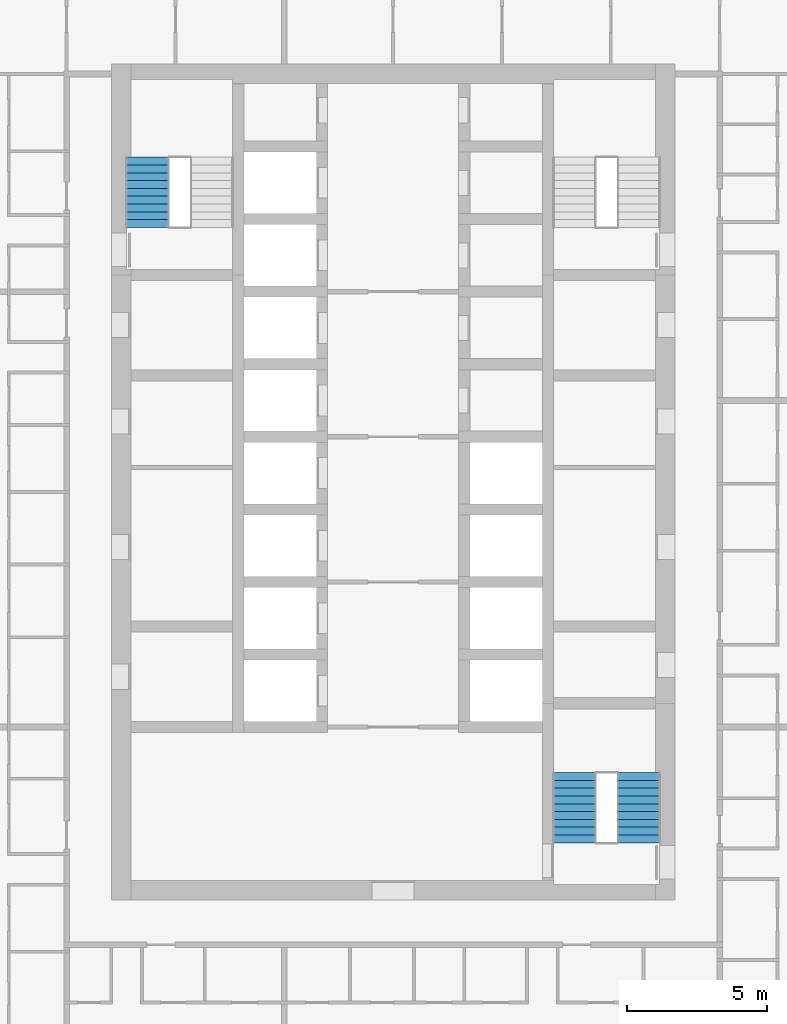
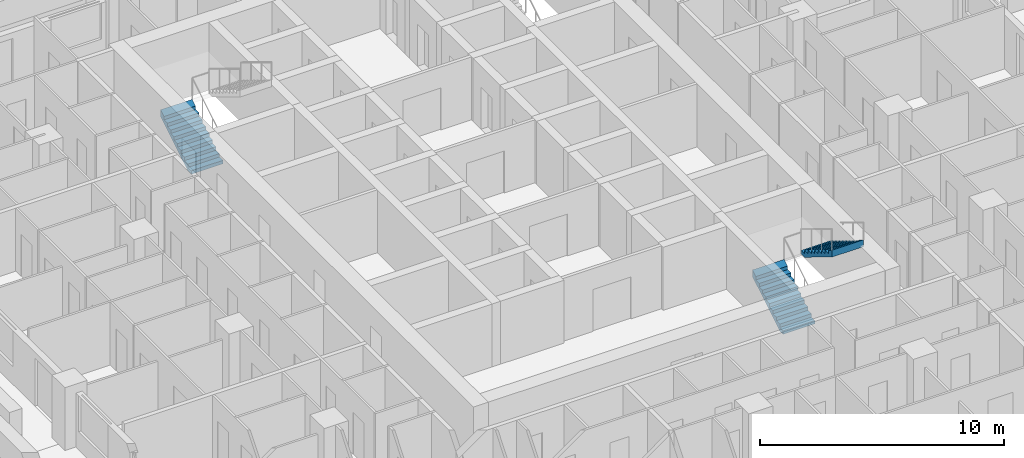
# One storey, part 14 of 17: 3 stair flights, 2 elements without a shape of their own.
"""IFC4 building model written with IfcOpenShell, lengths in metres."""

from ifc_helpers import new_model, si_unit, direction, frame, origin, place, context, subcontext, project, spatial, triangles, material, type_object, element, aggregate, save


model = new_model("IFC4")

# Units and contexts
model_context = context("Model", 3, precision=1e-05, world=origin(), true_north=direction((0.0, 1.0)))
body_context = subcontext(model_context, "Body", "Model", "MODEL_VIEW")
ifc_project = project(units=[si_unit("LENGTHUNIT", "METRE"), si_unit("AREAUNIT", "SQUARE_METRE"), si_unit("VOLUMEUNIT", "CUBIC_METRE"), si_unit("PLANEANGLEUNIT", "RADIAN"), si_unit("MASSUNIT", "GRAM", prefix="KILO")], contexts=[model_context])

# Site, building, storey
site_placement = place(None, origin())
site = spatial("IfcSite", under=ifc_project, at=site_placement, CompositionType="ELEMENT")
building_placement = place(site_placement, origin())
building = spatial("IfcBuilding", under=site, at=building_placement, Name="Ludao Terraces", CompositionType="ELEMENT")
storey_placement = place(building_placement, frame((0.0, 0.0, 54.60009765625)))
storey = spatial("IfcBuildingStorey", under=building, at=storey_placement, Name="L14", CompositionType="ELEMENT", Elevation=54.60009765625)

# Stair, stair flight
ifc_material = material(Name="Concrete C40", Category="concrete")
stair_type = type_object("IfcStairType", Name="INT Stair", PredefinedType="HALF_TURN_STAIR", material=ifc_material)
stair_1_placement = place(storey_placement, origin())
stair_1 = element("IfcStair", 1, at=stair_1_placement, inside=storey, type_object=stair_type, Name="EXIT STAIR 1", PredefinedType="HALF_TURN_STAIR")
stair_flight_type = type_object("IfcStairFlightType", Name="INT Stair flight", PredefinedType="STRAIGHT", material=ifc_material)
stair_flight_1_placement = place(storey_placement, frame((76.199951171875, 79.0, 0.0), z_axis=(0.0, 0.0, 1.0), x_axis=(0.0, 1.0, 0.0)))
stair_flight_1 = element("IfcStairFlight", 2, at=stair_flight_1_placement, type_object=stair_flight_type, Name="ST1 flight 1", NumberOfRisers=10, NumberOfTreads=9, PredefinedType="STRAIGHT", RiserHeight=0.17, TreadLength=0.28, context=body_context, shape_type="Tessellation", body=[
    triangles([(0.0, -0.75, 0.0), (0.0, -0.5, 0.0), (0.0, -0.25, 0.0), (0.0, 0.0, 0.0), (0.0, 0.25, 0.0), (0.0, 0.5, 0.0), (0.0, 0.75, 0.0), (0.0, -0.75, 0.169921875), (0.0, -0.5, 0.169921875), (0.0, -0.25, 0.169921875), (0.0, 0.0, 0.169921875), (0.0, 0.25, 0.169921875), (0.0, 0.5, 0.169921875), (0.0, 0.75, 0.169921875), (0.280029296875, -0.75, 0.169921875), (0.280029296875, -0.5, 0.169921875), (0.280029296875, -0.25, 0.169921875), (0.280029296875, 0.0, 0.169921875), (0.280029296875, 0.25, 0.169921875), (0.280029296875, 0.5, 0.169921875), (0.280029296875, 0.75, 0.169921875), (0.280029296875, -0.75, 0.340087890625), (0.280029296875, -0.5, 0.340087890625), (0.280029296875, -0.25, 0.340087890625), (0.280029296875, 0.0, 0.340087890625), (0.280029296875, 0.25, 0.340087890625), (0.280029296875, 0.5, 0.340087890625), (0.280029296875, 0.75, 0.340087890625), (0.56005859375, -0.75, 0.340087890625), (0.56005859375, -0.5, 0.340087890625), (0.56005859375, -0.25, 0.340087890625), (0.56005859375, 0.0, 0.340087890625), (0.56005859375, 0.25, 0.340087890625), (0.56005859375, 0.5, 0.340087890625), (0.56005859375, 0.75, 0.340087890625), (0.56005859375, -0.75, 0.510009765625), (0.56005859375, -0.5, 0.510009765625), (0.56005859375, -0.25, 0.510009765625), (0.56005859375, 0.0, 0.510009765625), (0.56005859375, 0.25, 0.510009765625), (0.56005859375, 0.5, 0.510009765625), (0.56005859375, 0.75, 0.510009765625), (0.840087890625, -0.75, 0.510009765625), (0.840087890625, -0.5, 0.510009765625), (0.840087890625, -0.25, 0.510009765625), (0.840087890625, 0.0, 0.510009765625), (0.840087890625, 0.25, 0.510009765625), (0.840087890625, 0.5, 0.510009765625), (0.840087890625, 0.75, 0.510009765625), (0.840087890625, -0.75, 0.679931640625), (0.840087890625, -0.5, 0.679931640625), (0.840087890625, -0.25, 0.679931640625), (0.840087890625, 0.0, 0.679931640625), (0.840087890625, 0.25, 0.679931640625), (0.840087890625, 0.5, 0.679931640625), (0.840087890625, 0.75, 0.679931640625), (1.1201171875, -0.75, 0.679931640625), (1.1201171875, -0.5, 0.679931640625), (1.1201171875, -0.25, 0.679931640625), (1.1201171875, 0.0, 0.679931640625), (1.1201171875, 0.25, 0.679931640625), (1.1201171875, 0.5, 0.679931640625), (1.1201171875, 0.75, 0.679931640625), (1.1201171875, -0.75, 0.85009765625), (1.1201171875, -0.5, 0.85009765625), (1.1201171875, -0.25, 0.85009765625), (1.1201171875, 0.0, 0.85009765625), (1.1201171875, 0.25, 0.85009765625), (1.1201171875, 0.5, 0.85009765625), (1.1201171875, 0.75, 0.85009765625), (1.39990234375, -0.75, 0.85009765625), (1.39990234375, -0.5, 0.85009765625), (1.39990234375, -0.25, 0.85009765625), (1.39990234375, 0.0, 0.85009765625), (1.39990234375, 0.25, 0.85009765625), (1.39990234375, 0.5, 0.85009765625), (1.39990234375, 0.75, 0.85009765625), (1.39990234375, -0.75, 1.02001953125), (1.39990234375, -0.5, 1.02001953125), (1.39990234375, -0.25, 1.02001953125), (1.39990234375, 0.0, 1.02001953125), (1.39990234375, 0.25, 1.02001953125), (1.39990234375, 0.5, 1.02001953125), (1.39990234375, 0.75, 1.02001953125), (1.679931640625, -0.75, 1.02001953125), (1.679931640625, -0.5, 1.02001953125), (1.679931640625, -0.25, 1.02001953125), (1.679931640625, 0.0, 1.02001953125), (1.679931640625, 0.25, 1.02001953125), (1.679931640625, 0.5, 1.02001953125), (1.679931640625, 0.75, 1.02001953125), (1.679931640625, -0.75, 1.18994140625), (1.679931640625, -0.5, 1.18994140625), (1.679931640625, -0.25, 1.18994140625), (1.679931640625, 0.0, 1.18994140625), (1.679931640625, 0.25, 1.18994140625), (1.679931640625, 0.5, 1.18994140625), (1.679931640625, 0.75, 1.18994140625), (1.9599609375, -0.75, 1.18994140625), (1.9599609375, -0.5, 1.18994140625), (1.9599609375, -0.25, 1.18994140625), (1.9599609375, 0.0, 1.18994140625), (1.9599609375, 0.25, 1.18994140625), (1.9599609375, 0.5, 1.18994140625), (1.9599609375, 0.75, 1.18994140625), (1.9599609375, -0.75, 1.360107421875), (1.9599609375, -0.5, 1.360107421875), (1.9599609375, -0.25, 1.360107421875), (1.9599609375, 0.0, 1.360107421875), (1.9599609375, 0.25, 1.360107421875), (1.9599609375, 0.5, 1.360107421875), (1.9599609375, 0.75, 1.360107421875), (2.239990234375, -0.75, 1.360107421875), (2.239990234375, -0.5, 1.360107421875), (2.239990234375, -0.25, 1.360107421875), (2.239990234375, 0.0, 1.360107421875), (2.239990234375, 0.25, 1.360107421875), (2.239990234375, 0.5, 1.360107421875), (2.239990234375, 0.75, 1.360107421875), (2.239990234375, -0.75, 1.530029296875), (2.239990234375, -0.5, 1.530029296875), (2.239990234375, -0.25, 1.530029296875), (2.239990234375, 0.0, 1.530029296875), (2.239990234375, 0.25, 1.530029296875), (2.239990234375, 0.5, 1.530029296875), (2.239990234375, 0.75, 1.530029296875), (2.52001953125, -0.75, 1.699951171875), (2.52001953125, -0.5, 1.699951171875), (2.52001953125, -0.25, 1.699951171875), (2.52001953125, 0.0, 1.699951171875), (2.52001953125, 0.25, 1.699951171875), (2.52001953125, 0.5, 1.699951171875), (2.52001953125, 0.75, 1.699951171875), (2.52001953125, -0.75, 1.354736328125), (2.52001953125, -0.5, 1.354736328125), (2.52001953125, -0.25, 1.354736328125), (2.52001953125, 0.0, 1.354736328125), (2.52001953125, 0.25, 1.354736328125), (2.52001953125, 0.5, 1.354736328125), (2.52001953125, 0.75, 1.354736328125), (0.288818359375, -0.75, 0.0), (0.288818359375, -0.5, 0.0), (0.288818359375, -0.25, 0.0), (0.288818359375, 0.0, 0.0), (0.288818359375, 0.25, 0.0), (0.288818359375, 0.5, 0.0), (0.288818359375, 0.75, 0.0)], [[1, 141, 134], [7, 140, 147], [134, 127, 120], [140, 126, 133], [134, 120, 113], [140, 119, 126], [134, 113, 106], [140, 112, 119], [134, 106, 99], [140, 105, 112], [99, 92, 85], [105, 91, 98], [134, 99, 85], [140, 91, 105], [85, 78, 71], [91, 77, 84], [134, 85, 71], [140, 77, 91], [71, 64, 57], [77, 63, 70], [134, 71, 57], [140, 63, 77], [57, 50, 43], [63, 49, 56], [134, 57, 43], [140, 49, 63], [43, 36, 29], [49, 35, 42], [134, 43, 29], [140, 35, 49], [29, 22, 15], [35, 21, 28], [134, 29, 15], [140, 21, 35], [1, 134, 15], [7, 21, 140], [15, 8, 1], [21, 7, 14], [1, 9, 2], [1, 8, 9], [2, 10, 3], [2, 9, 10], [3, 11, 4], [3, 10, 11], [4, 12, 5], [4, 11, 12], [5, 13, 6], [5, 12, 13], [6, 14, 7], [6, 13, 14], [8, 16, 9], [8, 15, 16], [9, 17, 10], [9, 16, 17], [10, 18, 11], [10, 17, 18], [11, 19, 12], [11, 18, 19], [12, 20, 13], [12, 19, 20], [13, 21, 14], [13, 20, 21], [15, 23, 16], [15, 22, 23], [16, 24, 17], [16, 23, 24], [17, 25, 18], [17, 24, 25], [18, 26, 19], [18, 25, 26], [19, 27, 20], [19, 26, 27], [20, 28, 21], [20, 27, 28], [22, 30, 23], [22, 29, 30], [23, 31, 24], [23, 30, 31], [24, 32, 25], [24, 31, 32], [25, 33, 26], [25, 32, 33], [26, 34, 27], [26, 33, 34], [27, 35, 28], [27, 34, 35], [29, 37, 30], [29, 36, 37], [30, 38, 31], [30, 37, 38], [31, 39, 32], [31, 38, 39], [32, 40, 33], [32, 39, 40], [33, 41, 34], [33, 40, 41], [34, 42, 35], [34, 41, 42], [36, 44, 37], [36, 43, 44], [37, 45, 38], [37, 44, 45], [38, 46, 39], [38, 45, 46], [39, 47, 40], [39, 46, 47], [40, 48, 41], [40, 47, 48], [41, 49, 42], [41, 48, 49], [43, 51, 44], [43, 50, 51], [44, 52, 45], [44, 51, 52], [45, 53, 46], [45, 52, 53], [46, 54, 47], [46, 53, 54], [47, 55, 48], [47, 54, 55], [48, 56, 49], [48, 55, 56], [50, 58, 51], [50, 57, 58], [51, 59, 52], [51, 58, 59], [52, 60, 53], [52, 59, 60], [53, 61, 54], [53, 60, 61], [54, 62, 55], [54, 61, 62], [55, 63, 56], [55, 62, 63], [57, 65, 58], [57, 64, 65], [58, 66, 59], [58, 65, 66], [59, 67, 60], [59, 66, 67], [60, 68, 61], [60, 67, 68], [61, 69, 62], [61, 68, 69], [62, 70, 63], [62, 69, 70], [64, 72, 65], [64, 71, 72], [65, 73, 66], [65, 72, 73], [66, 74, 67], [66, 73, 74], [67, 75, 68], [67, 74, 75], [68, 76, 69], [68, 75, 76], [69, 77, 70], [69, 76, 77], [71, 79, 72], [71, 78, 79], [72, 80, 73], [72, 79, 80], [73, 81, 74], [73, 80, 81], [74, 82, 75], [74, 81, 82], [75, 83, 76], [75, 82, 83], [76, 84, 77], [76, 83, 84], [78, 86, 79], [78, 85, 86], [79, 87, 80], [79, 86, 87], [80, 88, 81], [80, 87, 88], [81, 89, 82], [81, 88, 89], [82, 90, 83], [82, 89, 90], [83, 91, 84], [83, 90, 91], [85, 93, 86], [85, 92, 93], [86, 94, 87], [86, 93, 94], [87, 95, 88], [87, 94, 95], [88, 96, 89], [88, 95, 96], [89, 97, 90], [89, 96, 97], [90, 98, 91], [90, 97, 98], [92, 100, 93], [92, 99, 100], [93, 101, 94], [93, 100, 101], [94, 102, 95], [94, 101, 102], [95, 103, 96], [95, 102, 103], [96, 104, 97], [96, 103, 104], [97, 105, 98], [97, 104, 105], [99, 107, 100], [99, 106, 107], [100, 108, 101], [100, 107, 108], [101, 109, 102], [101, 108, 109], [102, 110, 103], [102, 109, 110], [103, 111, 104], [103, 110, 111], [104, 112, 105], [104, 111, 112], [106, 114, 107], [106, 113, 114], [107, 115, 108], [107, 114, 115], [108, 116, 109], [108, 115, 116], [109, 117, 110], [109, 116, 117], [110, 118, 111], [110, 117, 118], [111, 119, 112], [111, 118, 119], [113, 121, 114], [113, 120, 121], [114, 122, 115], [114, 121, 122], [115, 123, 116], [115, 122, 123], [116, 124, 117], [116, 123, 124], [117, 125, 118], [117, 124, 125], [118, 126, 119], [118, 125, 126], [120, 128, 121], [120, 127, 128], [121, 129, 122], [121, 128, 129], [122, 130, 123], [122, 129, 130], [123, 131, 124], [123, 130, 131], [124, 132, 125], [124, 131, 132], [125, 133, 126], [125, 132, 133], [127, 135, 128], [127, 134, 135], [128, 136, 129], [128, 135, 136], [129, 137, 130], [129, 136, 137], [130, 138, 131], [130, 137, 138], [131, 139, 132], [131, 138, 139], [132, 140, 133], [132, 139, 140], [134, 142, 135], [134, 141, 142], [135, 143, 136], [135, 142, 143], [136, 144, 137], [136, 143, 144], [137, 145, 138], [137, 144, 145], [138, 146, 139], [138, 145, 146], [139, 147, 140], [139, 146, 147], [141, 2, 142], [141, 1, 2], [142, 3, 143], [142, 2, 3], [143, 4, 144], [143, 3, 4], [144, 5, 145], [144, 4, 5], [145, 6, 146], [145, 5, 6], [146, 7, 147], [146, 6, 7]], closed=True),
])
aggregate(stair_1, [stair_flight_1])

# Stair, stair flights
stair_2_placement = place(storey_placement, origin())
stair_2 = element("IfcStair", 3, at=stair_2_placement, inside=storey, type_object=stair_type, Name="EXIT STAIR 3", PredefinedType="HALF_TURN_STAIR")
stair_flight_2_placement = place(storey_placement, frame((91.5, 56.949951171875, 0.0), z_axis=(0.0, 0.0, 1.0), x_axis=(0.0, 1.0, 0.0)))
stair_flight_2 = element("IfcStairFlight", 4, at=stair_flight_2_placement, type_object=stair_flight_type, Name="ST3 flight 1", NumberOfRisers=10, NumberOfTreads=9, PredefinedType="STRAIGHT", RiserHeight=0.17, TreadLength=0.28, context=body_context, shape_type="Tessellation", body=[
    triangles([(0.0, -0.75, 0.0), (0.0, -0.5, 0.0), (0.0, -0.25, 0.0), (0.0, 0.0, 0.0), (0.0, 0.25, 0.0), (0.0, 0.5, 0.0), (0.0, 0.75, 0.0), (0.0, -0.75, 0.169921875), (0.0, -0.5, 0.169921875), (0.0, -0.25, 0.169921875), (0.0, 0.0, 0.169921875), (0.0, 0.25, 0.169921875), (0.0, 0.5, 0.169921875), (0.0, 0.75, 0.169921875), (0.280029296875, -0.75, 0.169921875), (0.280029296875, -0.5, 0.169921875), (0.280029296875, -0.25, 0.169921875), (0.280029296875, 0.0, 0.169921875), (0.280029296875, 0.25, 0.169921875), (0.280029296875, 0.5, 0.169921875), (0.280029296875, 0.75, 0.169921875), (0.280029296875, -0.75, 0.340087890625), (0.280029296875, -0.5, 0.340087890625), (0.280029296875, -0.25, 0.340087890625), (0.280029296875, 0.0, 0.340087890625), (0.280029296875, 0.25, 0.340087890625), (0.280029296875, 0.5, 0.340087890625), (0.280029296875, 0.75, 0.340087890625), (0.56005859375, -0.75, 0.340087890625), (0.56005859375, -0.5, 0.340087890625), (0.56005859375, -0.25, 0.340087890625), (0.56005859375, 0.0, 0.340087890625), (0.56005859375, 0.25, 0.340087890625), (0.56005859375, 0.5, 0.340087890625), (0.56005859375, 0.75, 0.340087890625), (0.56005859375, -0.75, 0.510009765625), (0.56005859375, -0.5, 0.510009765625), (0.56005859375, -0.25, 0.510009765625), (0.56005859375, 0.0, 0.510009765625), (0.56005859375, 0.25, 0.510009765625), (0.56005859375, 0.5, 0.510009765625), (0.56005859375, 0.75, 0.510009765625), (0.840087890625, -0.75, 0.510009765625), (0.840087890625, -0.5, 0.510009765625), (0.840087890625, -0.25, 0.510009765625), (0.840087890625, 0.0, 0.510009765625), (0.840087890625, 0.25, 0.510009765625), (0.840087890625, 0.5, 0.510009765625), (0.840087890625, 0.75, 0.510009765625), (0.840087890625, -0.75, 0.679931640625), (0.840087890625, -0.5, 0.679931640625), (0.840087890625, -0.25, 0.679931640625), (0.840087890625, 0.0, 0.679931640625), (0.840087890625, 0.25, 0.679931640625), (0.840087890625, 0.5, 0.679931640625), (0.840087890625, 0.75, 0.679931640625), (1.1201171875, -0.75, 0.679931640625), (1.1201171875, -0.5, 0.679931640625), (1.1201171875, -0.25, 0.679931640625), (1.1201171875, 0.0, 0.679931640625), (1.1201171875, 0.25, 0.679931640625), (1.1201171875, 0.5, 0.679931640625), (1.1201171875, 0.75, 0.679931640625), (1.1201171875, -0.75, 0.85009765625), (1.1201171875, -0.5, 0.85009765625), (1.1201171875, -0.25, 0.85009765625), (1.1201171875, 0.0, 0.85009765625), (1.1201171875, 0.25, 0.85009765625), (1.1201171875, 0.5, 0.85009765625), (1.1201171875, 0.75, 0.85009765625), (1.39990234375, -0.75, 0.85009765625), (1.39990234375, -0.5, 0.85009765625), (1.39990234375, -0.25, 0.85009765625), (1.39990234375, 0.0, 0.85009765625), (1.39990234375, 0.25, 0.85009765625), (1.39990234375, 0.5, 0.85009765625), (1.39990234375, 0.75, 0.85009765625), (1.39990234375, -0.75, 1.02001953125), (1.39990234375, -0.5, 1.02001953125), (1.39990234375, -0.25, 1.02001953125), (1.39990234375, 0.0, 1.02001953125), (1.39990234375, 0.25, 1.02001953125), (1.39990234375, 0.5, 1.02001953125), (1.39990234375, 0.75, 1.02001953125), (1.679931640625, -0.75, 1.02001953125), (1.679931640625, -0.5, 1.02001953125), (1.679931640625, -0.25, 1.02001953125), (1.679931640625, 0.0, 1.02001953125), (1.679931640625, 0.25, 1.02001953125), (1.679931640625, 0.5, 1.02001953125), (1.679931640625, 0.75, 1.02001953125), (1.679931640625, -0.75, 1.18994140625), (1.679931640625, -0.5, 1.18994140625), (1.679931640625, -0.25, 1.18994140625), (1.679931640625, 0.0, 1.18994140625), (1.679931640625, 0.25, 1.18994140625), (1.679931640625, 0.5, 1.18994140625), (1.679931640625, 0.75, 1.18994140625), (1.9599609375, -0.75, 1.18994140625), (1.9599609375, -0.5, 1.18994140625), (1.9599609375, -0.25, 1.18994140625), (1.9599609375, 0.0, 1.18994140625), (1.9599609375, 0.25, 1.18994140625), (1.9599609375, 0.5, 1.18994140625), (1.9599609375, 0.75, 1.18994140625), (1.9599609375, -0.75, 1.360107421875), (1.9599609375, -0.5, 1.360107421875), (1.9599609375, -0.25, 1.360107421875), (1.9599609375, 0.0, 1.360107421875), (1.9599609375, 0.25, 1.360107421875), (1.9599609375, 0.5, 1.360107421875), (1.9599609375, 0.75, 1.360107421875), (2.239990234375, -0.75, 1.360107421875), (2.239990234375, -0.5, 1.360107421875), (2.239990234375, -0.25, 1.360107421875), (2.239990234375, 0.0, 1.360107421875), (2.239990234375, 0.25, 1.360107421875), (2.239990234375, 0.5, 1.360107421875), (2.239990234375, 0.75, 1.360107421875), (2.239990234375, -0.75, 1.530029296875), (2.239990234375, -0.5, 1.530029296875), (2.239990234375, -0.25, 1.530029296875), (2.239990234375, 0.0, 1.530029296875), (2.239990234375, 0.25, 1.530029296875), (2.239990234375, 0.5, 1.530029296875), (2.239990234375, 0.75, 1.530029296875), (2.52001953125, -0.75, 1.699951171875), (2.52001953125, -0.5, 1.699951171875), (2.52001953125, -0.25, 1.699951171875), (2.52001953125, 0.0, 1.699951171875), (2.52001953125, 0.25, 1.699951171875), (2.52001953125, 0.5, 1.699951171875), (2.52001953125, 0.75, 1.699951171875), (2.52001953125, -0.75, 1.354736328125), (2.52001953125, -0.5, 1.354736328125), (2.52001953125, -0.25, 1.354736328125), (2.52001953125, 0.0, 1.354736328125), (2.52001953125, 0.25, 1.354736328125), (2.52001953125, 0.5, 1.354736328125), (2.52001953125, 0.75, 1.354736328125), (0.288818359375, -0.75, 0.0), (0.288818359375, -0.5, 0.0), (0.288818359375, -0.25, 0.0), (0.288818359375, 0.0, 0.0), (0.288818359375, 0.25, 0.0), (0.288818359375, 0.5, 0.0), (0.288818359375, 0.75, 0.0)], [[1, 141, 134], [7, 140, 147], [134, 127, 120], [140, 126, 133], [134, 120, 113], [140, 119, 126], [134, 113, 106], [140, 112, 119], [134, 106, 99], [140, 105, 112], [99, 92, 85], [105, 91, 98], [134, 99, 85], [140, 91, 105], [85, 78, 71], [91, 77, 84], [134, 85, 71], [140, 77, 91], [71, 64, 57], [77, 63, 70], [134, 71, 57], [140, 63, 77], [57, 50, 43], [63, 49, 56], [134, 57, 43], [140, 49, 63], [43, 36, 29], [49, 35, 42], [134, 43, 29], [140, 35, 49], [29, 22, 15], [35, 21, 28], [134, 29, 15], [140, 21, 35], [1, 134, 15], [7, 21, 140], [15, 8, 1], [21, 7, 14], [1, 9, 2], [1, 8, 9], [2, 10, 3], [2, 9, 10], [3, 11, 4], [3, 10, 11], [4, 12, 5], [4, 11, 12], [5, 13, 6], [5, 12, 13], [6, 14, 7], [6, 13, 14], [8, 16, 9], [8, 15, 16], [9, 17, 10], [9, 16, 17], [10, 18, 11], [10, 17, 18], [11, 19, 12], [11, 18, 19], [12, 20, 13], [12, 19, 20], [13, 21, 14], [13, 20, 21], [15, 23, 16], [15, 22, 23], [16, 24, 17], [16, 23, 24], [17, 25, 18], [17, 24, 25], [18, 26, 19], [18, 25, 26], [19, 27, 20], [19, 26, 27], [20, 28, 21], [20, 27, 28], [22, 30, 23], [22, 29, 30], [23, 31, 24], [23, 30, 31], [24, 32, 25], [24, 31, 32], [25, 33, 26], [25, 32, 33], [26, 34, 27], [26, 33, 34], [27, 35, 28], [27, 34, 35], [29, 37, 30], [29, 36, 37], [30, 38, 31], [30, 37, 38], [31, 39, 32], [31, 38, 39], [32, 40, 33], [32, 39, 40], [33, 41, 34], [33, 40, 41], [34, 42, 35], [34, 41, 42], [36, 44, 37], [36, 43, 44], [37, 45, 38], [37, 44, 45], [38, 46, 39], [38, 45, 46], [39, 47, 40], [39, 46, 47], [40, 48, 41], [40, 47, 48], [41, 49, 42], [41, 48, 49], [43, 51, 44], [43, 50, 51], [44, 52, 45], [44, 51, 52], [45, 53, 46], [45, 52, 53], [46, 54, 47], [46, 53, 54], [47, 55, 48], [47, 54, 55], [48, 56, 49], [48, 55, 56], [50, 58, 51], [50, 57, 58], [51, 59, 52], [51, 58, 59], [52, 60, 53], [52, 59, 60], [53, 61, 54], [53, 60, 61], [54, 62, 55], [54, 61, 62], [55, 63, 56], [55, 62, 63], [57, 65, 58], [57, 64, 65], [58, 66, 59], [58, 65, 66], [59, 67, 60], [59, 66, 67], [60, 68, 61], [60, 67, 68], [61, 69, 62], [61, 68, 69], [62, 70, 63], [62, 69, 70], [64, 72, 65], [64, 71, 72], [65, 73, 66], [65, 72, 73], [66, 74, 67], [66, 73, 74], [67, 75, 68], [67, 74, 75], [68, 76, 69], [68, 75, 76], [69, 77, 70], [69, 76, 77], [71, 79, 72], [71, 78, 79], [72, 80, 73], [72, 79, 80], [73, 81, 74], [73, 80, 81], [74, 82, 75], [74, 81, 82], [75, 83, 76], [75, 82, 83], [76, 84, 77], [76, 83, 84], [78, 86, 79], [78, 85, 86], [79, 87, 80], [79, 86, 87], [80, 88, 81], [80, 87, 88], [81, 89, 82], [81, 88, 89], [82, 90, 83], [82, 89, 90], [83, 91, 84], [83, 90, 91], [85, 93, 86], [85, 92, 93], [86, 94, 87], [86, 93, 94], [87, 95, 88], [87, 94, 95], [88, 96, 89], [88, 95, 96], [89, 97, 90], [89, 96, 97], [90, 98, 91], [90, 97, 98], [92, 100, 93], [92, 99, 100], [93, 101, 94], [93, 100, 101], [94, 102, 95], [94, 101, 102], [95, 103, 96], [95, 102, 103], [96, 104, 97], [96, 103, 104], [97, 105, 98], [97, 104, 105], [99, 107, 100], [99, 106, 107], [100, 108, 101], [100, 107, 108], [101, 109, 102], [101, 108, 109], [102, 110, 103], [102, 109, 110], [103, 111, 104], [103, 110, 111], [104, 112, 105], [104, 111, 112], [106, 114, 107], [106, 113, 114], [107, 115, 108], [107, 114, 115], [108, 116, 109], [108, 115, 116], [109, 117, 110], [109, 116, 117], [110, 118, 111], [110, 117, 118], [111, 119, 112], [111, 118, 119], [113, 121, 114], [113, 120, 121], [114, 122, 115], [114, 121, 122], [115, 123, 116], [115, 122, 123], [116, 124, 117], [116, 123, 124], [117, 125, 118], [117, 124, 125], [118, 126, 119], [118, 125, 126], [120, 128, 121], [120, 127, 128], [121, 129, 122], [121, 128, 129], [122, 130, 123], [122, 129, 130], [123, 131, 124], [123, 130, 131], [124, 132, 125], [124, 131, 132], [125, 133, 126], [125, 132, 133], [127, 135, 128], [127, 134, 135], [128, 136, 129], [128, 135, 136], [129, 137, 130], [129, 136, 137], [130, 138, 131], [130, 137, 138], [131, 139, 132], [131, 138, 139], [132, 140, 133], [132, 139, 140], [134, 142, 135], [134, 141, 142], [135, 143, 136], [135, 142, 143], [136, 144, 137], [136, 143, 144], [137, 145, 138], [137, 144, 145], [138, 146, 139], [138, 145, 146], [139, 147, 140], [139, 146, 147], [141, 2, 142], [141, 1, 2], [142, 3, 143], [142, 2, 3], [143, 4, 144], [143, 3, 4], [144, 5, 145], [144, 4, 5], [145, 6, 146], [145, 5, 6], [146, 7, 147], [146, 6, 7]], closed=True),
])
stair_flight_3_placement = place(storey_placement, frame((93.800048828125, 59.469970703125, 1.699951171875), z_axis=(0.0, 0.0, 1.0), x_axis=(0.0, -1.0, 0.0)))
stair_flight_3 = element("IfcStairFlight", 5, at=stair_flight_3_placement, type_object=stair_flight_type, Name="ST3 flight 2", NumberOfRisers=10, NumberOfTreads=9, PredefinedType="STRAIGHT", RiserHeight=0.17, TreadLength=0.28, context=body_context, shape_type="Tessellation", body=[
    triangles([(0.0, -0.75, 0.0), (0.0, -0.5, 0.0), (0.0, -0.25, 0.0), (0.0, 0.0, 0.0), (0.0, 0.25, 0.0), (0.0, 0.5, 0.0), (0.0, 0.75, 0.0), (0.0, -0.75, 0.169921875), (0.0, -0.5, 0.169921875), (0.0, -0.25, 0.169921875), (0.0, 0.0, 0.169921875), (0.0, 0.25, 0.169921875), (0.0, 0.5, 0.169921875), (0.0, 0.75, 0.169921875), (0.280029296875, -0.75, 0.169921875), (0.280029296875, -0.5, 0.169921875), (0.280029296875, -0.25, 0.169921875), (0.280029296875, 0.0, 0.169921875), (0.280029296875, 0.25, 0.169921875), (0.280029296875, 0.5, 0.169921875), (0.280029296875, 0.75, 0.169921875), (0.280029296875, -0.75, 0.340087890625), (0.280029296875, -0.5, 0.340087890625), (0.280029296875, -0.25, 0.340087890625), (0.280029296875, 0.0, 0.340087890625), (0.280029296875, 0.25, 0.340087890625), (0.280029296875, 0.5, 0.340087890625), (0.280029296875, 0.75, 0.340087890625), (0.56005859375, -0.75, 0.340087890625), (0.56005859375, -0.5, 0.340087890625), (0.56005859375, -0.25, 0.340087890625), (0.56005859375, 0.0, 0.340087890625), (0.56005859375, 0.25, 0.340087890625), (0.56005859375, 0.5, 0.340087890625), (0.56005859375, 0.75, 0.340087890625), (0.56005859375, -0.75, 0.510009765625), (0.56005859375, -0.5, 0.510009765625), (0.56005859375, -0.25, 0.510009765625), (0.56005859375, 0.0, 0.510009765625), (0.56005859375, 0.25, 0.510009765625), (0.56005859375, 0.5, 0.510009765625), (0.56005859375, 0.75, 0.510009765625), (0.840087890625, -0.75, 0.510009765625), (0.840087890625, -0.5, 0.510009765625), (0.840087890625, -0.25, 0.510009765625), (0.840087890625, 0.0, 0.510009765625), (0.840087890625, 0.25, 0.510009765625), (0.840087890625, 0.5, 0.510009765625), (0.840087890625, 0.75, 0.510009765625), (0.840087890625, -0.75, 0.679931640625), (0.840087890625, -0.5, 0.679931640625), (0.840087890625, -0.25, 0.679931640625), (0.840087890625, 0.0, 0.679931640625), (0.840087890625, 0.25, 0.679931640625), (0.840087890625, 0.5, 0.679931640625), (0.840087890625, 0.75, 0.679931640625), (1.1201171875, -0.75, 0.679931640625), (1.1201171875, -0.5, 0.679931640625), (1.1201171875, -0.25, 0.679931640625), (1.1201171875, 0.0, 0.679931640625), (1.1201171875, 0.25, 0.679931640625), (1.1201171875, 0.5, 0.679931640625), (1.1201171875, 0.75, 0.679931640625), (1.1201171875, -0.75, 0.85009765625), (1.1201171875, -0.5, 0.85009765625), (1.1201171875, -0.25, 0.85009765625), (1.1201171875, 0.0, 0.85009765625), (1.1201171875, 0.25, 0.85009765625), (1.1201171875, 0.5, 0.85009765625), (1.1201171875, 0.75, 0.85009765625), (1.39990234375, -0.75, 0.85009765625), (1.39990234375, -0.5, 0.85009765625), (1.39990234375, -0.25, 0.85009765625), (1.39990234375, 0.0, 0.85009765625), (1.39990234375, 0.25, 0.85009765625), (1.39990234375, 0.5, 0.85009765625), (1.39990234375, 0.75, 0.85009765625), (1.39990234375, -0.75, 1.02001953125), (1.39990234375, -0.5, 1.02001953125), (1.39990234375, -0.25, 1.02001953125), (1.39990234375, 0.0, 1.02001953125), (1.39990234375, 0.25, 1.02001953125), (1.39990234375, 0.5, 1.02001953125), (1.39990234375, 0.75, 1.02001953125), (1.679931640625, -0.75, 1.02001953125), (1.679931640625, -0.5, 1.02001953125), (1.679931640625, -0.25, 1.02001953125), (1.679931640625, 0.0, 1.02001953125), (1.679931640625, 0.25, 1.02001953125), (1.679931640625, 0.5, 1.02001953125), (1.679931640625, 0.75, 1.02001953125), (1.679931640625, -0.75, 1.18994140625), (1.679931640625, -0.5, 1.18994140625), (1.679931640625, -0.25, 1.18994140625), (1.679931640625, 0.0, 1.18994140625), (1.679931640625, 0.25, 1.18994140625), (1.679931640625, 0.5, 1.18994140625), (1.679931640625, 0.75, 1.18994140625), (1.9599609375, -0.75, 1.18994140625), (1.9599609375, -0.5, 1.18994140625), (1.9599609375, -0.25, 1.18994140625), (1.9599609375, 0.0, 1.18994140625), (1.9599609375, 0.25, 1.18994140625), (1.9599609375, 0.5, 1.18994140625), (1.9599609375, 0.75, 1.18994140625), (1.9599609375, -0.75, 1.360107421875), (1.9599609375, -0.5, 1.360107421875), (1.9599609375, -0.25, 1.360107421875), (1.9599609375, 0.0, 1.360107421875), (1.9599609375, 0.25, 1.360107421875), (1.9599609375, 0.5, 1.360107421875), (1.9599609375, 0.75, 1.360107421875), (2.239990234375, -0.75, 1.360107421875), (2.239990234375, -0.5, 1.360107421875), (2.239990234375, -0.25, 1.360107421875), (2.239990234375, 0.0, 1.360107421875), (2.239990234375, 0.25, 1.360107421875), (2.239990234375, 0.5, 1.360107421875), (2.239990234375, 0.75, 1.360107421875), (2.239990234375, -0.75, 1.530029296875), (2.239990234375, -0.5, 1.530029296875), (2.239990234375, -0.25, 1.530029296875), (2.239990234375, 0.0, 1.530029296875), (2.239990234375, 0.25, 1.530029296875), (2.239990234375, 0.5, 1.530029296875), (2.239990234375, 0.75, 1.530029296875), (2.52001953125, -0.75, 1.699951171875), (2.52001953125, -0.5, 1.699951171875), (2.52001953125, -0.25, 1.699951171875), (2.52001953125, 0.0, 1.699951171875), (2.52001953125, 0.25, 1.699951171875), (2.52001953125, 0.5, 1.699951171875), (2.52001953125, 0.75, 1.699951171875), (2.52001953125, -0.75, 1.354736328125), (2.52001953125, -0.5, 1.354736328125), (2.52001953125, -0.25, 1.354736328125), (2.52001953125, 0.0, 1.354736328125), (2.52001953125, 0.25, 1.354736328125), (2.52001953125, 0.5, 1.354736328125), (2.52001953125, 0.75, 1.354736328125), (0.288818359375, -0.75, 0.0), (0.288818359375, -0.5, 0.0), (0.288818359375, -0.25, 0.0), (0.288818359375, 0.0, 0.0), (0.288818359375, 0.25, 0.0), (0.288818359375, 0.5, 0.0), (0.288818359375, 0.75, 0.0)], [[1, 141, 134], [7, 140, 147], [134, 127, 120], [140, 126, 133], [134, 120, 113], [140, 119, 126], [134, 113, 106], [140, 112, 119], [134, 106, 99], [140, 105, 112], [99, 92, 85], [105, 91, 98], [134, 99, 85], [140, 91, 105], [85, 78, 71], [91, 77, 84], [134, 85, 71], [140, 77, 91], [71, 64, 57], [77, 63, 70], [134, 71, 57], [140, 63, 77], [57, 50, 43], [63, 49, 56], [134, 57, 43], [140, 49, 63], [43, 36, 29], [49, 35, 42], [134, 43, 29], [140, 35, 49], [29, 22, 15], [35, 21, 28], [134, 29, 15], [140, 21, 35], [1, 134, 15], [7, 21, 140], [15, 8, 1], [21, 7, 14], [1, 9, 2], [1, 8, 9], [2, 10, 3], [2, 9, 10], [3, 11, 4], [3, 10, 11], [4, 12, 5], [4, 11, 12], [5, 13, 6], [5, 12, 13], [6, 14, 7], [6, 13, 14], [8, 16, 9], [8, 15, 16], [9, 17, 10], [9, 16, 17], [10, 18, 11], [10, 17, 18], [11, 19, 12], [11, 18, 19], [12, 20, 13], [12, 19, 20], [13, 21, 14], [13, 20, 21], [15, 23, 16], [15, 22, 23], [16, 24, 17], [16, 23, 24], [17, 25, 18], [17, 24, 25], [18, 26, 19], [18, 25, 26], [19, 27, 20], [19, 26, 27], [20, 28, 21], [20, 27, 28], [22, 30, 23], [22, 29, 30], [23, 31, 24], [23, 30, 31], [24, 32, 25], [24, 31, 32], [25, 33, 26], [25, 32, 33], [26, 34, 27], [26, 33, 34], [27, 35, 28], [27, 34, 35], [29, 37, 30], [29, 36, 37], [30, 38, 31], [30, 37, 38], [31, 39, 32], [31, 38, 39], [32, 40, 33], [32, 39, 40], [33, 41, 34], [33, 40, 41], [34, 42, 35], [34, 41, 42], [36, 44, 37], [36, 43, 44], [37, 45, 38], [37, 44, 45], [38, 46, 39], [38, 45, 46], [39, 47, 40], [39, 46, 47], [40, 48, 41], [40, 47, 48], [41, 49, 42], [41, 48, 49], [43, 51, 44], [43, 50, 51], [44, 52, 45], [44, 51, 52], [45, 53, 46], [45, 52, 53], [46, 54, 47], [46, 53, 54], [47, 55, 48], [47, 54, 55], [48, 56, 49], [48, 55, 56], [50, 58, 51], [50, 57, 58], [51, 59, 52], [51, 58, 59], [52, 60, 53], [52, 59, 60], [53, 61, 54], [53, 60, 61], [54, 62, 55], [54, 61, 62], [55, 63, 56], [55, 62, 63], [57, 65, 58], [57, 64, 65], [58, 66, 59], [58, 65, 66], [59, 67, 60], [59, 66, 67], [60, 68, 61], [60, 67, 68], [61, 69, 62], [61, 68, 69], [62, 70, 63], [62, 69, 70], [64, 72, 65], [64, 71, 72], [65, 73, 66], [65, 72, 73], [66, 74, 67], [66, 73, 74], [67, 75, 68], [67, 74, 75], [68, 76, 69], [68, 75, 76], [69, 77, 70], [69, 76, 77], [71, 79, 72], [71, 78, 79], [72, 80, 73], [72, 79, 80], [73, 81, 74], [73, 80, 81], [74, 82, 75], [74, 81, 82], [75, 83, 76], [75, 82, 83], [76, 84, 77], [76, 83, 84], [78, 86, 79], [78, 85, 86], [79, 87, 80], [79, 86, 87], [80, 88, 81], [80, 87, 88], [81, 89, 82], [81, 88, 89], [82, 90, 83], [82, 89, 90], [83, 91, 84], [83, 90, 91], [85, 93, 86], [85, 92, 93], [86, 94, 87], [86, 93, 94], [87, 95, 88], [87, 94, 95], [88, 96, 89], [88, 95, 96], [89, 97, 90], [89, 96, 97], [90, 98, 91], [90, 97, 98], [92, 100, 93], [92, 99, 100], [93, 101, 94], [93, 100, 101], [94, 102, 95], [94, 101, 102], [95, 103, 96], [95, 102, 103], [96, 104, 97], [96, 103, 104], [97, 105, 98], [97, 104, 105], [99, 107, 100], [99, 106, 107], [100, 108, 101], [100, 107, 108], [101, 109, 102], [101, 108, 109], [102, 110, 103], [102, 109, 110], [103, 111, 104], [103, 110, 111], [104, 112, 105], [104, 111, 112], [106, 114, 107], [106, 113, 114], [107, 115, 108], [107, 114, 115], [108, 116, 109], [108, 115, 116], [109, 117, 110], [109, 116, 117], [110, 118, 111], [110, 117, 118], [111, 119, 112], [111, 118, 119], [113, 121, 114], [113, 120, 121], [114, 122, 115], [114, 121, 122], [115, 123, 116], [115, 122, 123], [116, 124, 117], [116, 123, 124], [117, 125, 118], [117, 124, 125], [118, 126, 119], [118, 125, 126], [120, 128, 121], [120, 127, 128], [121, 129, 122], [121, 128, 129], [122, 130, 123], [122, 129, 130], [123, 131, 124], [123, 130, 131], [124, 132, 125], [124, 131, 132], [125, 133, 126], [125, 132, 133], [127, 135, 128], [127, 134, 135], [128, 136, 129], [128, 135, 136], [129, 137, 130], [129, 136, 137], [130, 138, 131], [130, 137, 138], [131, 139, 132], [131, 138, 139], [132, 140, 133], [132, 139, 140], [134, 142, 135], [134, 141, 142], [135, 143, 136], [135, 142, 143], [136, 144, 137], [136, 143, 144], [137, 145, 138], [137, 144, 145], [138, 146, 139], [138, 145, 146], [139, 147, 140], [139, 146, 147], [141, 2, 142], [141, 1, 2], [142, 3, 143], [142, 2, 3], [143, 4, 144], [143, 3, 4], [144, 5, 145], [144, 4, 5], [145, 6, 146], [145, 5, 6], [146, 7, 147], [146, 6, 7]], closed=True),
])
aggregate(stair_2, [stair_flight_2, stair_flight_3])

save(model, "model.ifc")
